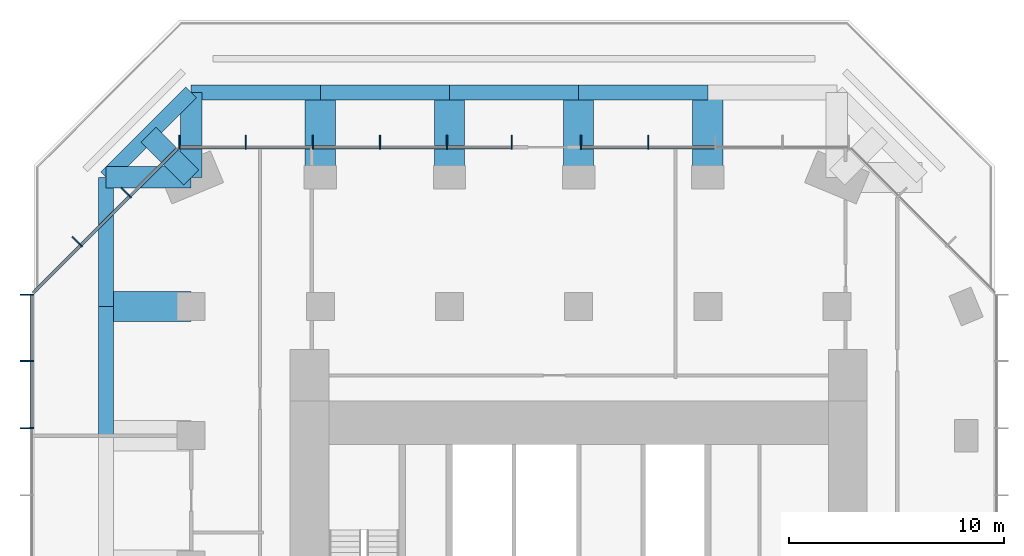
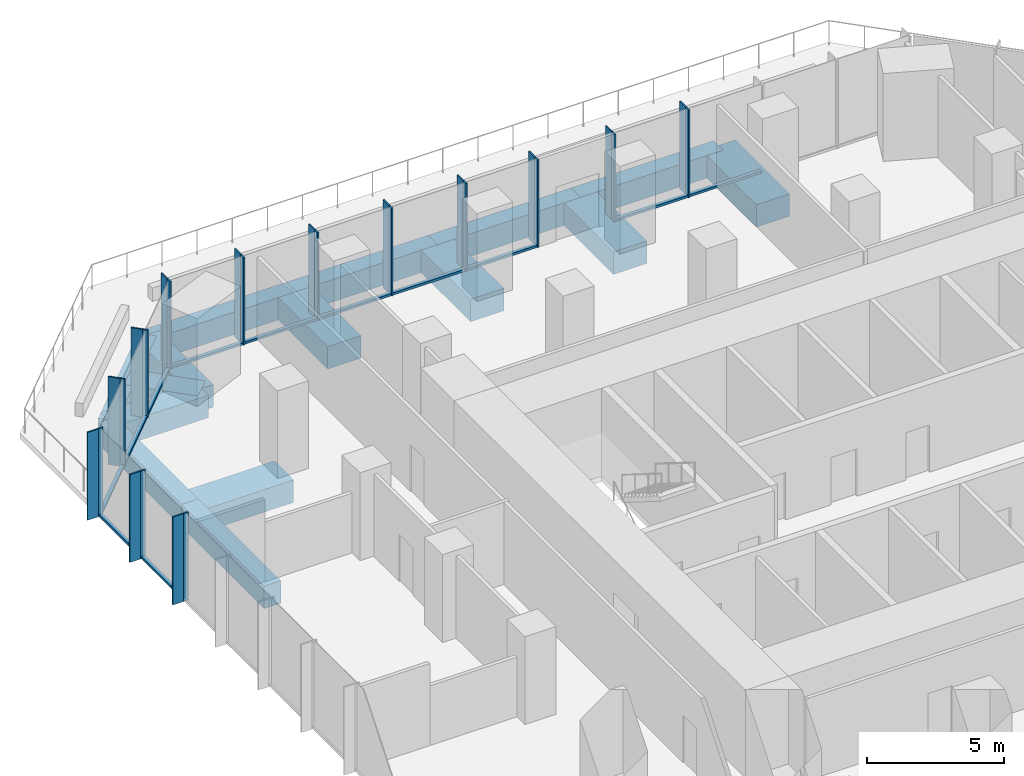
# One storey, part 5 of 11: 38 members, 15 beams, 4 elements without a shape of their own.
"""IFC4 building model written with IfcOpenShell, lengths in metres."""

from ifc_helpers import new_model, si_unit, direction, frame, origin, origin_2d, place, context, subcontext, project, spatial, rectangle, extrude, material, layer, layer_set, material_profile, profile_set, type_object, element, aggregate, save


model = new_model("IFC4")

# Units and contexts
model_context = context("Model", 3, precision=1e-05, world=origin(), true_north=direction((0.0, 1.0)))
body_context = subcontext(model_context, "Body", "Model", "MODEL_VIEW")
ifc_project = project(units=[si_unit("LENGTHUNIT", "METRE"), si_unit("AREAUNIT", "SQUARE_METRE"), si_unit("VOLUMEUNIT", "CUBIC_METRE"), si_unit("PLANEANGLEUNIT", "RADIAN"), si_unit("MASSUNIT", "GRAM", prefix="KILO")], contexts=[model_context])

# Site, building, storey
site_placement = place(None, origin())
site = spatial("IfcSite", under=ifc_project, at=site_placement, CompositionType="ELEMENT")
building_placement = place(site_placement, origin())
building = spatial("IfcBuilding", under=site, at=building_placement, Name="Highveld Stack Headquarters", CompositionType="ELEMENT")
storey_placement = place(building_placement, frame((0.0, 0.0, 212.300048828125)))
storey = spatial("IfcBuildingStorey", under=building, at=storey_placement, Name="L52", CompositionType="ELEMENT", Elevation=212.300048828125)

# Beams
ifc_material_1 = material(Name="Concrete C60/75", Category="concrete")
ifc_material_profile_1 = material_profile(ifc_material_1, rectangle(XDim=1.0, YDim=1.0, at=origin_2d()), Name="RC 1000x1000")
ifc_profile_set_1 = profile_set([ifc_material_profile_1], Name="Concrete C60/75")
beam_type_1 = type_object("IfcBeamType", Name="CANTILEVER RIB RC 1000x1000", PredefinedType="USERDEFINED", material=ifc_profile_set_1)
for number, where, z_axis, x_axis, name in (
    (1, (-12.0, 24.0, -0.75), (-1.0, 0.0, 0.0), (0.0, -1.0, 0.0), "Cantilever rib 4/J L52"),
    (2, (-12.0, 24.0, -0.75), (0.0, 1.0, 0.0), (-1.0, 0.0, 0.0), "Cantilever rib 4/J L52"),
):
    element("IfcBeam", number, at=place(storey_placement, frame(where, z_axis=z_axis, x_axis=x_axis)), inside=storey, type_object=beam_type_1, Name=name, ObjectType="CANTILEVER RIB", PredefinedType="USERDEFINED", context=body_context, shape_type="SweptSolid", body=[
        extrude(rectangle(XDim=1.0, YDim=1.0, at=origin_2d()), origin(), (0.0, 0.0, 1.0), 3.949951171875),
    ])
beam_1_placement = place(storey_placement, frame((-12.0, 24.0, -0.75), z_axis=(-0.707106781187, 0.707106781187, 0.0), x_axis=(-0.707106781187, -0.707106781187, 0.0)))
element("IfcBeam", 3, at=beam_1_placement, inside=storey, type_object=beam_type_1, Name="Cantilever rib 4/J L52", ObjectType="CANTILEVER RIB", PredefinedType="USERDEFINED", context=body_context, shape_type="SweptSolid", body=[
    extrude(rectangle(XDim=1.0, YDim=1.0, at=origin_2d()), origin(), (0.0, 0.0, 1.0), 2.793212890625),
])
ifc_material_2 = material(Name="Concrete C60/75", Category="concrete")
ifc_material_profile_2 = material_profile(ifc_material_2, rectangle(XDim=1.39990234375, YDim=1.0, at=origin_2d()), Name="RC 1400x1000")
ifc_profile_set_2 = profile_set([ifc_material_profile_2], Name="Concrete C60/75")
beam_type_2 = type_object("IfcBeamType", Name="CANTILEVER RIB RC 1400x1000", PredefinedType="USERDEFINED", material=ifc_profile_set_2)
for number, where, z_axis, x_axis, name in (
    (4, (-12.0, 18.0, -0.75), (-1.0, 0.0, 0.0), (0.0, -1.0, 0.0), "Cantilever rib 4/H L52"),
    (5, (-6.0, 24.0, -0.75), (0.0, 1.0, 0.0), (-1.0, 0.0, 0.0), "Cantilever rib 5/J L52"),
    (6, (0.0, 24.0, -0.75), (0.0, 1.0, 0.0), (-1.0, 0.0, 0.0), "Cantilever rib 6/J L52"),
    (7, (6.0, 24.0, -0.75), (0.0, 1.0, 0.0), (-1.0, 0.0, 0.0), "Cantilever rib 7/J L52"),
    (8, (12.0, 24.0, -0.75), (0.0, 1.0, 0.0), (-1.0, 0.0, 0.0), "Cantilever rib 8/J L52"),
):
    element("IfcBeam", number, at=place(storey_placement, frame(where, z_axis=z_axis, x_axis=x_axis)), inside=storey, type_object=beam_type_2, Name=name, ObjectType="CANTILEVER RIB", PredefinedType="USERDEFINED", context=body_context, shape_type="SweptSolid", body=[
        extrude(rectangle(XDim=1.39990234375, YDim=1.0, at=origin_2d()), origin(), (0.0, 0.0, 1.0), 3.949951171875),
    ])

# Curtain wall, members
ifc_material_3 = material(Name="Aluminium bronze anodised", Category="aluminium")
ifc_layer_1 = layer(ifc_material_3, 0.199951171875)
ifc_layer_set_1 = layer_set([ifc_layer_1], Name="Aluminium bronze anodised")
curtain_wall_type_1 = type_object("IfcCurtainWallType", Name="CW1 TOWER UNITISED CURTAIN WALL", PredefinedType="NOTDEFINED", material=ifc_layer_set_1)
curtain_wall_1_placement = place(storey_placement, origin())
curtain_wall_1 = element("IfcCurtainWall", 9, at=curtain_wall_1_placement, inside=storey, type_object=curtain_wall_type_1, Name="Curtain wall CW1 L52 N-1", PredefinedType="NOTDEFINED")
ifc_material_4 = material(Name="Aluminium bronze anodised", Category="aluminium")
ifc_material_profile_3 = material_profile(ifc_material_4, rectangle(XDim=0.449951171875, YDim=0.06005859375, at=origin_2d()), Name="FIN 450x60")
ifc_profile_set_3 = profile_set([ifc_material_profile_3], Name="Aluminium bronze anodised")
member_type_1 = type_object("IfcMemberType", Name="CW1 BRONZE FIN 450x60", PredefinedType="USERDEFINED", material=ifc_profile_set_3)
member_1_placement = place(storey_placement, frame((9.23193359375, 25.72509765625, 0.0), z_axis=(0.0, 0.0, 1.0), x_axis=(0.0, -1.0, 0.0)))
member_1 = element("IfcMember", 10, at=member_1_placement, type_object=member_type_1, Name="CW1 fin L52 4", ObjectType="FIN", PredefinedType="USERDEFINED", context=body_context, shape_type="SweptSolid", body=[
    extrude(rectangle(XDim=0.449951171875, YDim=0.06005859375, at=origin_2d()), origin(), (0.0, 0.0, 1.0), 3.89990234375),
])
member_2_placement = place(storey_placement, frame((6.115966796875, 25.72509765625, 0.0), z_axis=(0.0, 0.0, 1.0), x_axis=(0.0, -1.0, 0.0)))
member_2 = element("IfcMember", 11, at=member_2_placement, type_object=member_type_1, Name="CW1 fin L52 5", ObjectType="FIN", PredefinedType="USERDEFINED", context=body_context, shape_type="SweptSolid", body=[
    extrude(rectangle(XDim=0.449951171875, YDim=0.06005859375, at=origin_2d()), origin(), (0.0, 0.0, 1.0), 3.89990234375),
])

curtain_wall_2_placement = place(storey_placement, origin())
curtain_wall_2 = element("IfcCurtainWall", 12, at=curtain_wall_2_placement, inside=storey, type_object=curtain_wall_type_1, Name="Curtain wall CW1 L52 N-2", PredefinedType="NOTDEFINED")
member_3_placement = place(storey_placement, frame((2.892578125, 25.72509765625, 0.0), z_axis=(0.0, 0.0, 1.0), x_axis=(0.0, -1.0, 0.0)))
member_3 = element("IfcMember", 13, at=member_3_placement, type_object=member_type_1, Name="CW1 fin L52 1", ObjectType="FIN", PredefinedType="USERDEFINED", context=body_context, shape_type="SweptSolid", body=[
    extrude(rectangle(XDim=0.449951171875, YDim=0.06005859375, at=origin_2d()), origin(), (0.0, 0.0, 1.0), 3.89990234375),
])
member_4_placement = place(storey_placement, frame((-0.115966796875, 25.72509765625, 0.0), z_axis=(0.0, 0.0, 1.0), x_axis=(0.0, -1.0, 0.0)))
member_4 = element("IfcMember", 14, at=member_4_placement, type_object=member_type_1, Name="CW1 fin L52 2", ObjectType="FIN", PredefinedType="USERDEFINED", context=body_context, shape_type="SweptSolid", body=[
    extrude(rectangle(XDim=0.449951171875, YDim=0.06005859375, at=origin_2d()), origin(), (0.0, 0.0, 1.0), 3.89990234375),
])
member_5_placement = place(storey_placement, frame((-3.23193359375, 25.72509765625, 0.0), z_axis=(0.0, 0.0, 1.0), x_axis=(0.0, -1.0, 0.0)))
member_5 = element("IfcMember", 15, at=member_5_placement, type_object=member_type_1, Name="CW1 fin L52 3", ObjectType="FIN", PredefinedType="USERDEFINED", context=body_context, shape_type="SweptSolid", body=[
    extrude(rectangle(XDim=0.449951171875, YDim=0.06005859375, at=origin_2d()), origin(), (0.0, 0.0, 1.0), 3.89990234375),
])
member_6_placement = place(storey_placement, frame((-6.347900390625, 25.72509765625, 0.0), z_axis=(0.0, 0.0, 1.0), x_axis=(0.0, -1.0, 0.0)))
member_6 = element("IfcMember", 16, at=member_6_placement, type_object=member_type_1, Name="CW1 fin L52 4", ObjectType="FIN", PredefinedType="USERDEFINED", context=body_context, shape_type="SweptSolid", body=[
    extrude(rectangle(XDim=0.449951171875, YDim=0.06005859375, at=origin_2d()), origin(), (0.0, 0.0, 1.0), 3.89990234375),
])
member_7_placement = place(storey_placement, frame((-9.4638671875, 25.72509765625, 0.0), z_axis=(0.0, 0.0, 1.0), x_axis=(0.0, -1.0, 0.0)))
member_7 = element("IfcMember", 17, at=member_7_placement, type_object=member_type_1, Name="CW1 fin L52 5", ObjectType="FIN", PredefinedType="USERDEFINED", context=body_context, shape_type="SweptSolid", body=[
    extrude(rectangle(XDim=0.449951171875, YDim=0.06005859375, at=origin_2d()), origin(), (0.0, 0.0, 1.0), 3.89990234375),
])
member_8_placement = place(storey_placement, frame((-12.54736328125, 25.72509765625, 0.0), z_axis=(0.0, 0.0, 1.0), x_axis=(0.0, -1.0, 0.0)))
member_8 = element("IfcMember", 18, at=member_8_placement, type_object=member_type_1, Name="CW1 fin L52 6", ObjectType="FIN", PredefinedType="USERDEFINED", context=body_context, shape_type="SweptSolid", body=[
    extrude(rectangle(XDim=0.449951171875, YDim=0.06005859375, at=origin_2d()), origin(), (0.0, 0.0, 1.0), 3.89990234375),
])

curtain_wall_3_placement = place(storey_placement, origin())
curtain_wall_3 = element("IfcCurtainWall", 19, at=curtain_wall_3_placement, inside=storey, type_object=curtain_wall_type_1, Name="Curtain wall CW1 L52 W", PredefinedType="NOTDEFINED")
member_9_placement = place(storey_placement, frame((-19.72509765625, 18.54736328125, 0.0), z_axis=(0.0, 0.0, 1.0), x_axis=(1.0, 0.0, 0.0)))
member_9 = element("IfcMember", 20, at=member_9_placement, type_object=member_type_1, Name="CW1 fin L52 1", ObjectType="FIN", PredefinedType="USERDEFINED", context=body_context, shape_type="SweptSolid", body=[
    extrude(rectangle(XDim=0.449951171875, YDim=0.06005859375, at=origin_2d()), origin(), (0.0, 0.0, 1.0), 3.89990234375),
])
member_10_placement = place(storey_placement, frame((-19.72509765625, 15.4638671875, 0.0), z_axis=(0.0, 0.0, 1.0), x_axis=(1.0, 0.0, 0.0)))
member_10 = element("IfcMember", 21, at=member_10_placement, type_object=member_type_1, Name="CW1 fin L52 2", ObjectType="FIN", PredefinedType="USERDEFINED", context=body_context, shape_type="SweptSolid", body=[
    extrude(rectangle(XDim=0.449951171875, YDim=0.06005859375, at=origin_2d()), origin(), (0.0, 0.0, 1.0), 3.89990234375),
])
member_11_placement = place(storey_placement, frame((-19.72509765625, 12.347900390625, 0.0), z_axis=(0.0, 0.0, 1.0), x_axis=(1.0, 0.0, 0.0)))
member_11 = element("IfcMember", 22, at=member_11_placement, type_object=member_type_1, Name="CW1 fin L52 3", ObjectType="FIN", PredefinedType="USERDEFINED", context=body_context, shape_type="SweptSolid", body=[
    extrude(rectangle(XDim=0.449951171875, YDim=0.06005859375, at=origin_2d()), origin(), (0.0, 0.0, 1.0), 3.89990234375),
])

# Member
ifc_material_5 = material(Name="Aluminium bronze anodised", Category="aluminium")
ifc_material_profile_4 = material_profile(ifc_material_5, rectangle(XDim=0.199951171875, YDim=0.06494140625, at=origin_2d()), Name="CW1 MULLION 65x200")
ifc_profile_set_4 = profile_set([ifc_material_profile_4], Name="Aluminium bronze anodised")
member_type_2 = type_object("IfcMemberType", Name="CW1 MULLION 65x200", PredefinedType="MULLION", material=ifc_profile_set_4)
member_12_placement = place(storey_placement, frame((9.23193359375, 25.39990234375, 0.0), z_axis=(0.0, 0.0, 1.0), x_axis=(0.0, -1.0, 0.0)))
member_12 = element("IfcMember", 23, at=member_12_placement, type_object=member_type_2, Name="CW1 mullion L52 4", PredefinedType="MULLION", context=body_context, shape_type="SweptSolid", body=[
    extrude(rectangle(XDim=0.199951171875, YDim=0.06494140625, at=origin_2d()), origin(), (0.0, 0.0, 1.0), 3.89990234375),
])

member_13_placement = place(storey_placement, frame((6.115966796875, 25.39990234375, 0.0), z_axis=(0.0, 0.0, 1.0), x_axis=(0.0, -1.0, 0.0)))
member_13 = element("IfcMember", 24, at=member_13_placement, type_object=member_type_2, Name="CW1 mullion L52 5", PredefinedType="MULLION", context=body_context, shape_type="SweptSolid", body=[
    extrude(rectangle(XDim=0.199951171875, YDim=0.06494140625, at=origin_2d()), origin(), (0.0, 0.0, 1.0), 3.89990234375),
])

member_14_placement = place(storey_placement, frame((2.892578125, 25.39990234375, 0.0), z_axis=(0.0, 0.0, 1.0), x_axis=(0.0, -1.0, 0.0)))
member_14 = element("IfcMember", 25, at=member_14_placement, type_object=member_type_2, Name="CW1 mullion L52 1", PredefinedType="MULLION", context=body_context, shape_type="SweptSolid", body=[
    extrude(rectangle(XDim=0.199951171875, YDim=0.06494140625, at=origin_2d()), origin(), (0.0, 0.0, 1.0), 3.89990234375),
])

member_15_placement = place(storey_placement, frame((-0.115966796875, 25.39990234375, 0.0), z_axis=(0.0, 0.0, 1.0), x_axis=(0.0, -1.0, 0.0)))
member_15 = element("IfcMember", 26, at=member_15_placement, type_object=member_type_2, Name="CW1 mullion L52 2", PredefinedType="MULLION", context=body_context, shape_type="SweptSolid", body=[
    extrude(rectangle(XDim=0.199951171875, YDim=0.06494140625, at=origin_2d()), origin(), (0.0, 0.0, 1.0), 3.89990234375),
])

member_16_placement = place(storey_placement, frame((-3.23193359375, 25.39990234375, 0.0), z_axis=(0.0, 0.0, 1.0), x_axis=(0.0, -1.0, 0.0)))
member_16 = element("IfcMember", 27, at=member_16_placement, type_object=member_type_2, Name="CW1 mullion L52 3", PredefinedType="MULLION", context=body_context, shape_type="SweptSolid", body=[
    extrude(rectangle(XDim=0.199951171875, YDim=0.06494140625, at=origin_2d()), origin(), (0.0, 0.0, 1.0), 3.89990234375),
])

member_17_placement = place(storey_placement, frame((-6.347900390625, 25.39990234375, 0.0), z_axis=(0.0, 0.0, 1.0), x_axis=(0.0, -1.0, 0.0)))
member_17 = element("IfcMember", 28, at=member_17_placement, type_object=member_type_2, Name="CW1 mullion L52 4", PredefinedType="MULLION", context=body_context, shape_type="SweptSolid", body=[
    extrude(rectangle(XDim=0.199951171875, YDim=0.06494140625, at=origin_2d()), origin(), (0.0, 0.0, 1.0), 3.89990234375),
])

member_18_placement = place(storey_placement, frame((-9.4638671875, 25.39990234375, 0.0), z_axis=(0.0, 0.0, 1.0), x_axis=(0.0, -1.0, 0.0)))
member_18 = element("IfcMember", 29, at=member_18_placement, type_object=member_type_2, Name="CW1 mullion L52 5", PredefinedType="MULLION", context=body_context, shape_type="SweptSolid", body=[
    extrude(rectangle(XDim=0.199951171875, YDim=0.06494140625, at=origin_2d()), origin(), (0.0, 0.0, 1.0), 3.89990234375),
])

member_19_placement = place(storey_placement, frame((-12.54736328125, 25.39990234375, 0.0), z_axis=(0.0, 0.0, 1.0), x_axis=(0.0, -1.0, 0.0)))
member_19 = element("IfcMember", 30, at=member_19_placement, type_object=member_type_2, Name="CW1 mullion L52 6", PredefinedType="MULLION", context=body_context, shape_type="SweptSolid", body=[
    extrude(rectangle(XDim=0.199951171875, YDim=0.06494140625, at=origin_2d()), origin(), (0.0, 0.0, 1.0), 3.89990234375),
])

member_20_placement = place(storey_placement, frame((-19.39990234375, 18.54736328125, 0.0), z_axis=(0.0, 0.0, 1.0), x_axis=(1.0, 0.0, 0.0)))
member_20 = element("IfcMember", 31, at=member_20_placement, type_object=member_type_2, Name="CW1 mullion L52 1", PredefinedType="MULLION", context=body_context, shape_type="SweptSolid", body=[
    extrude(rectangle(XDim=0.199951171875, YDim=0.06494140625, at=origin_2d()), origin(), (0.0, 0.0, 1.0), 3.89990234375),
])

member_21_placement = place(storey_placement, frame((-19.39990234375, 15.4638671875, 0.0), z_axis=(0.0, 0.0, 1.0), x_axis=(1.0, 0.0, 0.0)))
member_21 = element("IfcMember", 32, at=member_21_placement, type_object=member_type_2, Name="CW1 mullion L52 2", PredefinedType="MULLION", context=body_context, shape_type="SweptSolid", body=[
    extrude(rectangle(XDim=0.199951171875, YDim=0.06494140625, at=origin_2d()), origin(), (0.0, 0.0, 1.0), 3.89990234375),
])

member_22_placement = place(storey_placement, frame((-19.39990234375, 12.347900390625, 0.0), z_axis=(0.0, 0.0, 1.0), x_axis=(1.0, 0.0, 0.0)))
member_22 = element("IfcMember", 33, at=member_22_placement, type_object=member_type_2, Name="CW1 mullion L52 3", PredefinedType="MULLION", context=body_context, shape_type="SweptSolid", body=[
    extrude(rectangle(XDim=0.199951171875, YDim=0.06494140625, at=origin_2d()), origin(), (0.0, 0.0, 1.0), 3.89990234375),
])

ifc_material_6 = material(Name="Aluminium bronze anodised", Category="aluminium")
ifc_material_profile_5 = material_profile(ifc_material_6, rectangle(XDim=0.14990234375, YDim=0.10009765625, at=origin_2d()), Name="CW1 TRANSOM 150x100")
ifc_profile_set_5 = profile_set([ifc_material_profile_5], Name="Aluminium bronze anodised")
member_type_3 = type_object("IfcMemberType", Name="CW1 STACK TRANSOM 150x100", PredefinedType="USERDEFINED", material=ifc_profile_set_5)
member_23_placement = place(storey_placement, frame((12.3154296875, 25.39990234375, 0.050048828125), z_axis=(-1.0, 0.0, 0.0), x_axis=(0.0, -1.0, 0.0)))
member_23 = element("IfcMember", 34, at=member_23_placement, type_object=member_type_3, Name="CW1 transom L52 3.1", ObjectType="TRANSOM", PredefinedType="USERDEFINED", context=body_context, shape_type="SweptSolid", body=[
    extrude(rectangle(XDim=0.14990234375, YDim=0.10009765625, at=origin_2d()), origin(), (0.0, 0.0, 1.0), 3.051025390625),
])

member_24_placement = place(storey_placement, frame((9.199462890625, 25.39990234375, 0.050048828125), z_axis=(-1.0, 0.0, 0.0), x_axis=(0.0, -1.0, 0.0)))
member_24 = element("IfcMember", 35, at=member_24_placement, type_object=member_type_3, Name="CW1 transom L52 4.1", ObjectType="TRANSOM", PredefinedType="USERDEFINED", context=body_context, shape_type="SweptSolid", body=[
    extrude(rectangle(XDim=0.14990234375, YDim=0.10009765625, at=origin_2d()), origin(), (0.0, 0.0, 1.0), 3.051025390625),
])

aggregate(curtain_wall_1, [member_12, member_1, member_13, member_2, member_23, member_24])

member_25_placement = place(storey_placement, frame((2.860107421875, 25.39990234375, 0.050048828125), z_axis=(-1.0, 0.0, 0.0), x_axis=(0.0, -1.0, 0.0)))
member_25 = element("IfcMember", 36, at=member_25_placement, type_object=member_type_3, Name="CW1 transom L52 6.1", ObjectType="TRANSOM", PredefinedType="USERDEFINED", context=body_context, shape_type="SweptSolid", body=[
    extrude(rectangle(XDim=0.14990234375, YDim=0.10009765625, at=origin_2d()), origin(), (0.0, 0.0, 1.0), 2.943603515625),
])

member_26_placement = place(storey_placement, frame((-0.1484375, 25.39990234375, 0.050048828125), z_axis=(-1.0, 0.0, 0.0), x_axis=(0.0, -1.0, 0.0)))
member_26 = element("IfcMember", 37, at=member_26_placement, type_object=member_type_3, Name="CW1 transom L52 7.1", ObjectType="TRANSOM", PredefinedType="USERDEFINED", context=body_context, shape_type="SweptSolid", body=[
    extrude(rectangle(XDim=0.14990234375, YDim=0.10009765625, at=origin_2d()), origin(), (0.0, 0.0, 1.0), 3.051025390625),
])

member_27_placement = place(storey_placement, frame((-3.264404296875, 25.39990234375, 0.050048828125), z_axis=(-1.0, 0.0, 0.0), x_axis=(0.0, -1.0, 0.0)))
member_27 = element("IfcMember", 38, at=member_27_placement, type_object=member_type_3, Name="CW1 transom L52 8.1", ObjectType="TRANSOM", PredefinedType="USERDEFINED", context=body_context, shape_type="SweptSolid", body=[
    extrude(rectangle(XDim=0.14990234375, YDim=0.10009765625, at=origin_2d()), origin(), (0.0, 0.0, 1.0), 3.051025390625),
])

member_28_placement = place(storey_placement, frame((-6.38037109375, 25.39990234375, 0.050048828125), z_axis=(-1.0, 0.0, 0.0), x_axis=(0.0, -1.0, 0.0)))
member_28 = element("IfcMember", 39, at=member_28_placement, type_object=member_type_3, Name="CW1 transom L52 9.1", ObjectType="TRANSOM", PredefinedType="USERDEFINED", context=body_context, shape_type="SweptSolid", body=[
    extrude(rectangle(XDim=0.14990234375, YDim=0.10009765625, at=origin_2d()), origin(), (0.0, 0.0, 1.0), 3.051025390625),
])

member_29_placement = place(storey_placement, frame((-9.496337890625, 25.39990234375, 0.050048828125), z_axis=(-1.0, 0.0, 0.0), x_axis=(0.0, -1.0, 0.0)))
member_29 = element("IfcMember", 40, at=member_29_placement, type_object=member_type_3, Name="CW1 transom L52 10.1", ObjectType="TRANSOM", PredefinedType="USERDEFINED", context=body_context, shape_type="SweptSolid", body=[
    extrude(rectangle(XDim=0.14990234375, YDim=0.10009765625, at=origin_2d()), origin(), (0.0, 0.0, 1.0), 3.0185546875),
])

aggregate(curtain_wall_2, [member_14, member_3, member_15, member_4, member_16, member_5, member_17, member_6, member_18, member_7, member_19, member_8, member_25, member_26, member_27, member_28, member_29])

member_30_placement = place(storey_placement, frame((-19.39990234375, 18.514892578125, 0.050048828125), z_axis=(0.0, -1.0, 0.0), x_axis=(1.0, 0.0, 0.0)))
member_30 = element("IfcMember", 41, at=member_30_placement, type_object=member_type_3, Name="CW1 transom L52 1.1", ObjectType="TRANSOM", PredefinedType="USERDEFINED", context=body_context, shape_type="SweptSolid", body=[
    extrude(rectangle(XDim=0.14990234375, YDim=0.10009765625, at=origin_2d()), origin(), (0.0, 0.0, 1.0), 3.0185546875),
])

member_31_placement = place(storey_placement, frame((-19.39990234375, 15.431396484375, 0.050048828125), z_axis=(0.0, -1.0, 0.0), x_axis=(1.0, 0.0, 0.0)))
member_31 = element("IfcMember", 42, at=member_31_placement, type_object=member_type_3, Name="CW1 transom L52 2.1", ObjectType="TRANSOM", PredefinedType="USERDEFINED", context=body_context, shape_type="SweptSolid", body=[
    extrude(rectangle(XDim=0.14990234375, YDim=0.10009765625, at=origin_2d()), origin(), (0.0, 0.0, 1.0), 3.051025390625),
])

aggregate(curtain_wall_3, [member_20, member_9, member_21, member_10, member_22, member_11, member_30, member_31])

# Curtain wall, members
ifc_material_7 = material(Name="Aluminium bronze anodised", Category="aluminium")
ifc_layer_2 = layer(ifc_material_7, 0.199951171875)
ifc_layer_set_2 = layer_set([ifc_layer_2], Name="Aluminium bronze anodised")
curtain_wall_type_2 = type_object("IfcCurtainWallType", Name="CW2 TOWER CHAMFER UNITISED CURTAIN WALL", PredefinedType="NOTDEFINED", material=ifc_layer_set_2)
curtain_wall_4_placement = place(storey_placement, origin())
curtain_wall_4 = element("IfcCurtainWall", 43, at=curtain_wall_4_placement, inside=storey, type_object=curtain_wall_type_2, Name="Curtain wall CW2 L52 NW", PredefinedType="NOTDEFINED")
ifc_material_8 = material(Name="Aluminium bronze anodised", Category="aluminium")
ifc_material_profile_6 = material_profile(ifc_material_8, rectangle(XDim=0.449951171875, YDim=0.06005859375, at=origin_2d()), Name="FIN 450x60")
ifc_profile_set_6 = profile_set([ifc_material_profile_6], Name="Aluminium bronze anodised")
member_type_4 = type_object("IfcMemberType", Name="CW2 BRONZE FIN 450x60", PredefinedType="USERDEFINED", material=ifc_profile_set_6)
member_32_placement = place(storey_placement, frame((-15.0830078125, 23.3564453125, 0.0), z_axis=(0.0, 0.0, 1.0), x_axis=(0.707106781187, -0.707106781187, 0.0)))
member_32 = element("IfcMember", 44, at=member_32_placement, type_object=member_type_4, Name="CW2 fin L52 1", ObjectType="FIN", PredefinedType="USERDEFINED", context=body_context, shape_type="SweptSolid", body=[
    extrude(rectangle(XDim=0.449951171875, YDim=0.06005859375, at=origin_2d()), origin(), (0.0, 0.0, 1.0), 3.89990234375),
])
member_33_placement = place(storey_placement, frame((-17.3564453125, 21.0830078125, 0.0), z_axis=(0.0, 0.0, 1.0), x_axis=(0.707106781187, -0.707106781187, 0.0)))
member_33 = element("IfcMember", 45, at=member_33_placement, type_object=member_type_4, Name="CW2 fin L52 2", ObjectType="FIN", PredefinedType="USERDEFINED", context=body_context, shape_type="SweptSolid", body=[
    extrude(rectangle(XDim=0.449951171875, YDim=0.06005859375, at=origin_2d()), origin(), (0.0, 0.0, 1.0), 3.89990234375),
])
ifc_material_9 = material(Name="Aluminium bronze anodised", Category="aluminium")
ifc_material_profile_7 = material_profile(ifc_material_9, rectangle(XDim=0.199951171875, YDim=0.06494140625, at=origin_2d()), Name="CW2 MULLION 65x200")
ifc_profile_set_7 = profile_set([ifc_material_profile_7], Name="Aluminium bronze anodised")
member_type_5 = type_object("IfcMemberType", Name="CW2 MULLION 65x200", PredefinedType="MULLION", material=ifc_profile_set_7)
member_34_placement = place(storey_placement, frame((-14.853271484375, 23.126708984375, 0.0), z_axis=(0.0, 0.0, 1.0), x_axis=(0.707106781187, -0.707106781187, 0.0)))
member_34 = element("IfcMember", 46, at=member_34_placement, type_object=member_type_5, Name="CW2 mullion L52 1", PredefinedType="MULLION", context=body_context, shape_type="SweptSolid", body=[
    extrude(rectangle(XDim=0.199951171875, YDim=0.06494140625, at=origin_2d()), origin(), (0.0, 0.0, 1.0), 3.89990234375),
])
member_35_placement = place(storey_placement, frame((-17.126708984375, 20.853271484375, 0.0), z_axis=(0.0, 0.0, 1.0), x_axis=(0.707106781187, -0.707106781187, 0.0)))
member_35 = element("IfcMember", 47, at=member_35_placement, type_object=member_type_5, Name="CW2 mullion L52 2", PredefinedType="MULLION", context=body_context, shape_type="SweptSolid", body=[
    extrude(rectangle(XDim=0.199951171875, YDim=0.06494140625, at=origin_2d()), origin(), (0.0, 0.0, 1.0), 3.89990234375),
])
ifc_material_10 = material(Name="Aluminium bronze anodised", Category="aluminium")
ifc_material_profile_8 = material_profile(ifc_material_10, rectangle(XDim=0.14990234375, YDim=0.10009765625, at=origin_2d()), Name="CW2 TRANSOM 150x100")
ifc_profile_set_8 = profile_set([ifc_material_profile_8], Name="Aluminium bronze anodised")
member_type_6 = type_object("IfcMemberType", Name="CW2 STACK TRANSOM 150x100", PredefinedType="USERDEFINED", material=ifc_profile_set_8)
member_36_placement = place(storey_placement, frame((-12.650634765625, 25.329345703125, 0.050048828125), z_axis=(-0.707106781187, -0.707106781187, 0.0), x_axis=(0.707106781187, -0.707106781187, 0.0)))
member_36 = element("IfcMember", 48, at=member_36_placement, type_object=member_type_6, Name="CW2 transom L52 1.1", ObjectType="TRANSOM", PredefinedType="USERDEFINED", context=body_context, shape_type="SweptSolid", body=[
    extrude(rectangle(XDim=0.14990234375, YDim=0.10009765625, at=origin_2d()), origin(), (0.0, 0.0, 1.0), 3.08251953125),
])
member_37_placement = place(storey_placement, frame((-14.876220703125, 23.103759765625, 0.050048828125), z_axis=(-0.707106781187, -0.707106781187, 0.0), x_axis=(0.707106781187, -0.707106781187, 0.0)))
member_37 = element("IfcMember", 49, at=member_37_placement, type_object=member_type_6, Name="CW2 transom L52 2.1", ObjectType="TRANSOM", PredefinedType="USERDEFINED", context=body_context, shape_type="SweptSolid", body=[
    extrude(rectangle(XDim=0.14990234375, YDim=0.10009765625, at=origin_2d()), origin(), (0.0, 0.0, 1.0), 3.150146484375),
])
member_38_placement = place(storey_placement, frame((-17.149658203125, 20.830322265625, 0.050048828125), z_axis=(-0.707106781187, -0.707106781187, 0.0), x_axis=(0.707106781187, -0.707106781187, 0.0)))
member_38 = element("IfcMember", 50, at=member_38_placement, type_object=member_type_6, Name="CW2 transom L52 3.1", ObjectType="TRANSOM", PredefinedType="USERDEFINED", context=body_context, shape_type="SweptSolid", body=[
    extrude(rectangle(XDim=0.14990234375, YDim=0.10009765625, at=origin_2d()), origin(), (0.0, 0.0, 1.0), 3.08251953125),
])
aggregate(curtain_wall_4, [member_34, member_32, member_35, member_33, member_36, member_37, member_38])

# Beams
ifc_material_11 = material(Name="Concrete C60/75", Category="concrete")
ifc_material_profile_9 = material_profile(ifc_material_11, rectangle(XDim=0.699951171875, YDim=1.0, at=origin_2d()), Name="RC 700x1000")
ifc_profile_set_9 = profile_set([ifc_material_profile_9], Name="Concrete C60/75")
beam_type_3 = type_object("IfcBeamType", Name="RIB TIP BEAM RC 700x1000", PredefinedType="SPANDREL", material=ifc_profile_set_9)
for number, where, z_axis, x_axis, name in (
    (51, (-15.949951171875, 12.0, -0.75), (0.0, 1.0, 0.0), (-1.0, 0.0, 0.0), "Rib tip beam 4/G to 4/H L52"),
    (52, (-15.949951171875, 18.0, -0.75), (0.0, 1.0, 0.0), (-1.0, 0.0, 0.0), "Rib tip beam 4/H to 4/J L52"),
    (53, (-12.0, 27.949951171875, -0.75), (1.0, 0.0, 0.0), (0.0, 1.0, 0.0), "Rib tip beam 4/J to 5/J L52"),
    (54, (-6.0, 27.949951171875, -0.75), (1.0, 0.0, 0.0), (0.0, 1.0, 0.0), "Rib tip beam 5/J to 6/J L52"),
    (55, (0.0, 27.949951171875, -0.75), (1.0, 0.0, 0.0), (0.0, 1.0, 0.0), "Rib tip beam 6/J to 7/J L52"),
    (56, (6.0, 27.949951171875, -0.75), (1.0, 0.0, 0.0), (0.0, 1.0, 0.0), "Rib tip beam 7/J to 8/J L52"),
):
    element("IfcBeam", number, at=place(storey_placement, frame(where, z_axis=z_axis, x_axis=x_axis)), inside=storey, type_object=beam_type_3, Name=name, PredefinedType="SPANDREL", context=body_context, shape_type="SweptSolid", body=[
        extrude(rectangle(XDim=0.699951171875, YDim=1.0, at=origin_2d()), origin(), (0.0, 0.0, 1.0), 6.0),
    ])
beam_2_placement = place(storey_placement, frame((-15.949951171875, 24.0, -0.75), z_axis=(0.707106781187, 0.707106781187, 0.0), x_axis=(-0.707106781187, 0.707106781187, 0.0)))
element("IfcBeam", 57, at=beam_2_placement, inside=storey, type_object=beam_type_3, Name="Rib tip beam 4/J corner L52", PredefinedType="SPANDREL", context=body_context, shape_type="SweptSolid", body=[
    extrude(rectangle(XDim=0.699951171875, YDim=1.0, at=origin_2d()), origin(), (0.0, 0.0, 1.0), 5.586181640625),
])

save(model, "model.ifc")
